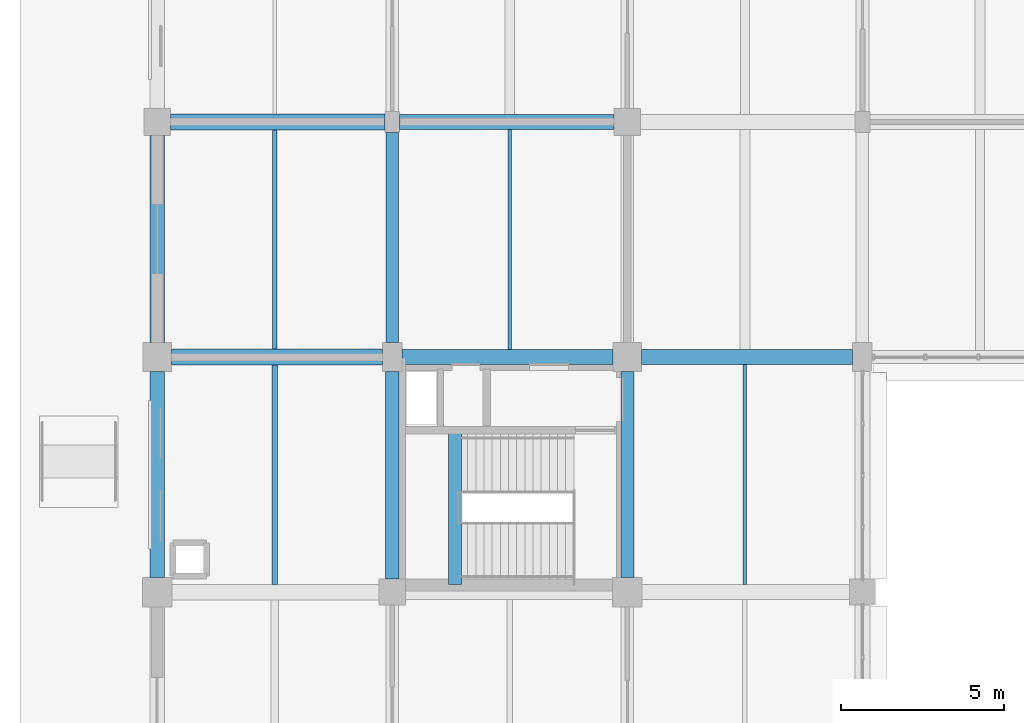
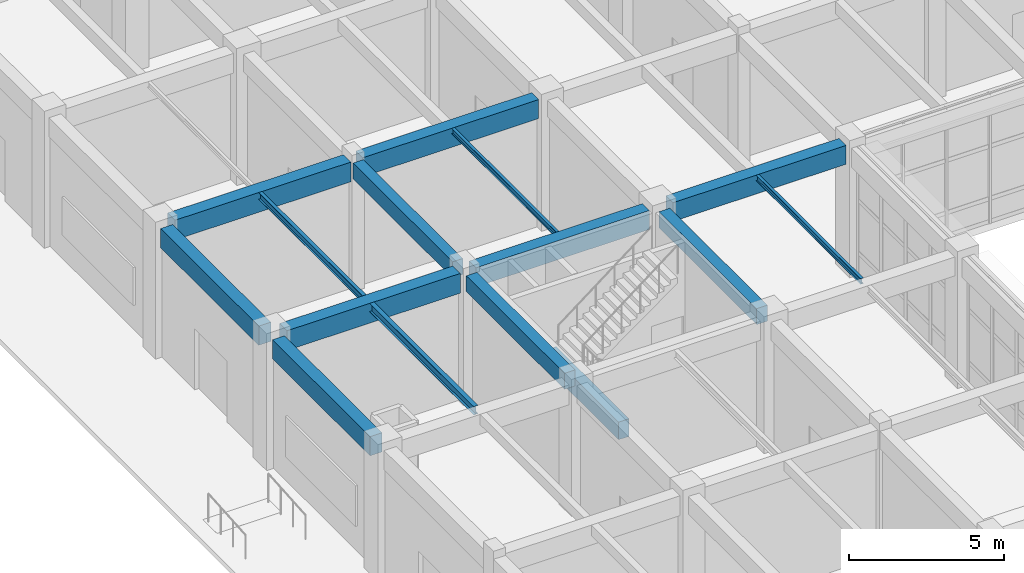
# One storey, part 23 of 160: 15 beams.
"""IFC4 building model written with IfcOpenShell, lengths in metres."""

import ifcopenshell
import ifcopenshell.guid

model = None  # the IFC model being written
_history = None  # IfcOwnerHistory: only IFC2X3 demands one
_inside = {}  # id of a spatial element -> (the spatial element, [elements in it])
_under = {}  # id of a project, library or spatial element -> (it, [spatial elements below it])
_declared = {}  # id of a project -> (the project, [libraries it declares])
_typed = {}  # id of a type object -> (the type object, [elements of that type])
_made_of = {}  # id of a material, layer set ... -> (it, [elements and type objects made of it])


def new_model(schema):
    """Start an empty IFC model of exactly this schema.

    Asked for "IFC4X3", IfcOpenShell would pick the latest addendum, in which some entities
    have other attributes; the version numbers below select the first issue.
    IFC2X3 requires an IfcOwnerHistory on every rooted entity: one is made here for all.
    """
    global model, _history
    if schema == "IFC4X3":
        model = ifcopenshell.file(schema_version=(4, 3, 0, 0))
    else:
        model = ifcopenshell.file(schema=schema)
    _inside.clear()
    _under.clear()
    _declared.clear()
    _typed.clear()
    _made_of.clear()
    _history = None
    if model.schema == "IFC2X3":
        org = make("IfcOrganization", Name="unknown")
        user = make(
            "IfcPersonAndOrganization",
            ThePerson=make("IfcPerson", FamilyName="unknown"),
            TheOrganization=org,
        )
        app = make(
            "IfcApplication",
            ApplicationDeveloper=org,
            Version="unknown",
            ApplicationFullName="unknown",
            ApplicationIdentifier="unknown",
        )
        _history = make(
            "IfcOwnerHistory",
            OwningUser=user,
            OwningApplication=app,
            ChangeAction="ADDED",
            CreationDate=0,
        )
    return model


def make(cls, **values):
    """One entity of the class cls with the attributes given. An attribute that is None is left unset."""
    return model.create_entity(
        cls, **{name: value for name, value in values.items() if value is not None}
    )


def rooted(cls, **values):
    """An entity with a GlobalId (a new one), such as an element, a storey or a relation."""
    return make(cls, GlobalId=ifcopenshell.guid.new(), OwnerHistory=_history, **values)


def si_unit(unit_type, name, prefix=None):
    """IfcSIUnit, for example si_unit("LENGTHUNIT", "METRE", prefix="MILLI")."""
    return make("IfcSIUnit", UnitType=unit_type, Prefix=prefix, Name=name)


def assignment(units):
    """IfcUnitAssignment: the units of a project."""
    return None if units is None else make("IfcUnitAssignment", Units=units)


def point(xyz):
    """IfcCartesianPoint."""
    return None if xyz is None else make("IfcCartesianPoint", Coordinates=xyz)


def direction(xyz):
    """IfcDirection."""
    return None if xyz is None else make("IfcDirection", DirectionRatios=xyz)


def frame(location, z_axis=None, x_axis=None):
    """IfcAxis2Placement3D, a coordinate frame: its origin and axes. An axis left out is left unset."""
    return make(
        "IfcAxis2Placement3D",
        Location=point(location),
        Axis=direction(z_axis),
        RefDirection=direction(x_axis),
    )


def frame_2d(location, x_axis=None):
    """IfcAxis2Placement2D, a coordinate frame in the plane: its origin and x axis."""
    return make(
        "IfcAxis2Placement2D", Location=point(location), RefDirection=direction(x_axis)
    )


def origin():
    """The frame at (0, 0, 0) with its axes left unset."""
    return frame((0.0, 0.0, 0.0))


def origin_2d():
    """The frame at (0, 0) in the plane with its x axis left unset."""
    return frame_2d((0.0, 0.0))


def place(relative_to, where):
    """IfcLocalPlacement: puts the frame where relative to a parent placement (None: the world)."""
    return make(
        "IfcLocalPlacement", PlacementRelTo=relative_to, RelativePlacement=where
    )


def context(
    kind, dimensions, precision=None, world=None, true_north=None, identifier=None
):
    """IfcGeometricRepresentationContext, for example the 3D "Model" context."""
    return make(
        "IfcGeometricRepresentationContext",
        ContextIdentifier=identifier,
        ContextType=kind,
        CoordinateSpaceDimension=dimensions,
        Precision=precision,
        WorldCoordinateSystem=world,
        TrueNorth=true_north,
    )


def subcontext(parent, identifier, kind, view, scale=None):
    """IfcGeometricRepresentationSubContext, for example "Body" below "Model"."""
    return make(
        "IfcGeometricRepresentationSubContext",
        ContextIdentifier=identifier,
        ContextType=kind,
        ParentContext=parent,
        TargetScale=scale,
        TargetView=view,
    )


def project(units=None, contexts=None):
    """IfcProject with its units and contexts."""
    return rooted(
        "IfcProject",
        Name="project",
        RepresentationContexts=contexts,
        UnitsInContext=assignment(units),
    )


def spatial(cls, under=None, at=None, **own):
    """A site, building, storey or space (cls), placed at a placement, below another one or the project."""
    s = rooted(cls, ObjectPlacement=at, **own)
    if under is not None:
        _under.setdefault(under.id(), (under, []))[1].append(s)
    return s


def profile(cls, at=None, kind="AREA", **sizes):
    """A parametric profile (cls). Its sizes go by their IFC names, for example OverallWidth=200.0."""
    return make(cls, ProfileType=kind, Position=at, **sizes)


def rectangle(**sizes):
    """IfcRectangleProfileDef."""
    return profile("IfcRectangleProfileDef", **sizes)


def i_section(**sizes):
    """IfcIShapeProfileDef."""
    return profile("IfcIShapeProfileDef", **sizes)


def extrude(swept, where, along, depth):
    """IfcExtrudedAreaSolid: the profile swept, set in the frame where, extruded along a direction by depth."""
    return make(
        "IfcExtrudedAreaSolid",
        SweptArea=swept,
        Position=where,
        ExtrudedDirection=direction(along),
        Depth=depth,
    )


def shape(context_of_items, identifier, shape_type, items):
    """IfcShapeRepresentation: the items that make up one representation, for example the "Body"."""
    return make(
        "IfcShapeRepresentation",
        ContextOfItems=context_of_items,
        RepresentationIdentifier=identifier,
        RepresentationType=shape_type,
        Items=items,
    )


def material(Name=None, Category=None):
    """IfcMaterial."""
    return make("IfcMaterial", Name=Name, Category=Category)


def material_profile(
    of_material, cross_section, Name=None, Category=None, Priority=None
):
    """IfcMaterialProfile: a cross section and its material."""
    return make(
        "IfcMaterialProfile",
        Name=Name,
        Material=of_material,
        Profile=cross_section,
        Priority=Priority,
        Category=Category,
    )


def profile_set(profiles, Name=None, composite=None):
    """IfcMaterialProfileSet."""
    return make(
        "IfcMaterialProfileSet",
        Name=Name,
        MaterialProfiles=profiles,
        CompositeProfile=composite,
    )


def made_of(thing, what):
    """Note that an element or type object is made of a material, layer set ...; save() writes the relation."""
    if what is not None:
        _made_of.setdefault(what.id(), (what, []))[1].append(thing)
    return thing


def type_object(cls, material=None, **own):
    """A type object (cls), such as IfcWallType, which elements share."""
    return made_of(rooted(cls, **own), material)


def element(
    cls,
    number,
    at=None,
    inside=None,
    cuts=None,
    type_object=None,
    material=None,
    context=None,
    identifier="Body",
    shape_type=None,
    held_by="IfcProductDefinitionShape",
    body=None,
    shapes=None,
    **own,
):
    """One element of the class cls, such as IfcWall. Its Tag is "e" and its number.

    at: its placement. inside: the storey or other place that contains it. cuts: it is an
    opening in that element (IfcRelVoidsElement). A single representation is given by context,
    identifier, shape_type and body (its items); several are given by shapes. held_by: the class
    of the entity that holds the representations. save() writes the other relations.
    """
    e = rooted(cls, Tag="e%d" % number, ObjectPlacement=at, **own)
    if body is not None:
        shapes = [shape(context, identifier, shape_type, body)]
    if shapes is not None:
        e.Representation = make(held_by, Representations=shapes)
    if inside is not None:
        _inside.setdefault(inside.id(), (inside, []))[1].append(e)
    if cuts is not None:
        rooted(
            "IfcRelVoidsElement", RelatingBuildingElement=cuts, RelatedOpeningElement=e
        )
    if type_object is not None:
        _typed.setdefault(type_object.id(), (type_object, []))[1].append(e)
    return made_of(e, material)


def aggregate(whole, parts):
    """IfcRelAggregates: a whole, such as a stair, and the parts it consists of."""
    return rooted("IfcRelAggregates", RelatingObject=whole, RelatedObjects=parts)


def save(model, path):
    """Write the relations noted so far, then the file.

    IfcRelAggregates (storeys below a building ...), IfcRelContainedInSpatialStructure (elements
    in a storey), IfcRelDefinesByType, IfcRelAssociatesMaterial and IfcRelDeclares: one each for
    every whole, place, type object, material and project.
    """
    for whole, parts in _under.values():
        aggregate(whole, parts)
    for where, things in _inside.values():
        rooted(
            "IfcRelContainedInSpatialStructure",
            RelatedElements=things,
            RelatingStructure=where,
        )
    for kind, things in _typed.values():
        rooted("IfcRelDefinesByType", RelatedObjects=things, RelatingType=kind)
    for what, things in _made_of.values():
        rooted("IfcRelAssociatesMaterial", RelatedObjects=things, RelatingMaterial=what)
    for by, libraries in _declared.values():
        rooted("IfcRelDeclares", RelatingContext=by, RelatedDefinitions=libraries)
    model.write(path)


model = new_model("IFC4")

# Units and contexts
model_context = context("Model", 3, precision=1e-05, world=origin(), true_north=direction((0.0, 1.0)))
body_context = subcontext(model_context, "Body", "Model", "MODEL_VIEW")
ifc_project = project(units=[si_unit("LENGTHUNIT", "METRE"), si_unit("AREAUNIT", "SQUARE_METRE"), si_unit("VOLUMEUNIT", "CUBIC_METRE"), si_unit("PLANEANGLEUNIT", "RADIAN"), si_unit("MASSUNIT", "GRAM", prefix="KILO")], contexts=[model_context])

# Site, building, storey
site_placement = place(None, origin())
site = spatial("IfcSite", under=ifc_project, at=site_placement, CompositionType="ELEMENT")
building_placement = place(site_placement, origin())
building = spatial("IfcBuilding", under=site, at=building_placement, Name="Thalmaran Polytechnic", CompositionType="ELEMENT")
storey_placement = place(building_placement, origin())
storey = spatial("IfcBuildingStorey", under=building, at=storey_placement, Name="L00", CompositionType="ELEMENT", Elevation=0.0)

# Beams
ifc_material_1 = material(Name="Concrete C40/50", Category="concrete")
ifc_material_profile_1 = material_profile(ifc_material_1, rectangle(XDim=0.449951171875, YDim=0.75, at=origin_2d()), Name="RC 450x750")
ifc_profile_set_1 = profile_set([ifc_material_profile_1], Name="Concrete C40/50")
beam_type_1 = type_object("IfcBeamType", Name="BM-RC03", PredefinedType="BEAM", material=ifc_profile_set_1)
beam_1_placement = place(storey_placement, frame((7.5, 50.39990234375, 4.715087890625), z_axis=(1.0, 0.0, 0.0), x_axis=(0.0, 1.0, 0.0)))
element("IfcBeam", 1, at=beam_1_placement, inside=storey, type_object=beam_type_1, Name="Grid Beam B03 L00 X(1,7)", PredefinedType="BEAM", context=body_context, shape_type="SweptSolid", body=[
    extrude(rectangle(XDim=0.449951171875, YDim=0.75, at=origin_2d()), origin(), (0.0, 0.0, 1.0), 6.4599609375),
])
beam_2_placement = place(storey_placement, frame((7.425048828125, 57.60009765625, 4.715087890625), z_axis=(1.0, 0.0, 0.0), x_axis=(0.0, 1.0, 0.0)))
element("IfcBeam", 2, at=beam_2_placement, inside=storey, type_object=beam_type_1, Name="Grid Beam B03 L00 X(1,8)", PredefinedType="BEAM", context=body_context, shape_type="SweptSolid", body=[
    extrude(rectangle(XDim=0.449951171875, YDim=0.75, at=origin_2d()), origin(), (0.0, 0.0, 1.0), 6.56494140625),
])
ifc_material_profile_2 = material_profile(ifc_material_1, rectangle(XDim=0.39990234375, YDim=0.6298828125, at=origin_2d()), Name="RC 400x630")
ifc_profile_set_2 = profile_set([ifc_material_profile_2], Name="Concrete C40/50")
beam_type_2 = type_object("IfcBeamType", Name="BM-RC07", PredefinedType="BEAM", material=ifc_profile_set_2)
beam_3_placement = place(storey_placement, frame((7.199951171875, 43.60009765625, 4.77490234375), z_axis=(0.0, 1.0, 0.0), x_axis=(-1.0, 0.0, 0.0)))
element("IfcBeam", 3, at=beam_3_placement, inside=storey, type_object=beam_type_2, Name="Grid Beam B07 L00 Y(1,6)", PredefinedType="BEAM", context=body_context, shape_type="SweptSolid", body=[
    extrude(rectangle(XDim=0.39990234375, YDim=0.6298828125, at=origin_2d()), origin(), (0.0, 0.0, 1.0), 6.349853515625),
])
beam_4_placement = place(storey_placement, frame((14.39990234375, 43.64990234375, 4.77490234375), z_axis=(0.0, 1.0, 0.0), x_axis=(-1.0, 0.0, 0.0)))
element("IfcBeam", 4, at=beam_4_placement, inside=storey, type_object=beam_type_2, Name="Grid Beam B07 L00 Y(2,6)", PredefinedType="BEAM", context=body_context, shape_type="SweptSolid", body=[
    extrude(rectangle(XDim=0.39990234375, YDim=0.6298828125, at=origin_2d()), origin(), (0.0, 0.0, 1.0), 6.31005859375),
])
ifc_material_profile_3 = material_profile(ifc_material_1, rectangle(XDim=0.389892578125, YDim=0.695068359375, at=origin_2d()), Name="RC 390x695")
ifc_profile_set_3 = profile_set([ifc_material_profile_3], Name="Concrete C40/50")
beam_type_3 = type_object("IfcBeamType", Name="BM-RC10", PredefinedType="BEAM", material=ifc_profile_set_3)
beam_5_placement = place(storey_placement, frame((9.1201171875, 43.43994140625, 2.239990234375), z_axis=(0.0, 1.0, 0.0), x_axis=(-1.0, 0.0, 0.0)))
element("IfcBeam", 5, at=beam_5_placement, inside=storey, type_object=beam_type_3, Name="ST4 L00 Half-Landing Trimmer Beam", PredefinedType="BEAM", context=body_context, shape_type="SweptSolid", body=[
    extrude(rectangle(XDim=0.389892578125, YDim=0.695068359375, at=origin_2d()), origin(), (0.0, 0.0, 1.0), 4.699951171875),
])
ifc_material_2 = material(Name="Steel S355", Category="steel")
ifc_material_profile_4 = material_profile(ifc_material_2, i_section(OverallWidth=0.159912109375, OverallDepth=0.330078125, WebThickness=0.007568359375, FlangeThickness=0.011474609375, at=origin_2d()), Name="IPE 330")
ifc_profile_set_4 = profile_set([ifc_material_profile_4], Name="Steel S355")
beam_type_4 = type_object("IfcBeamType", Name="BM-SJ02", PredefinedType="JOIST", material=ifc_profile_set_4)
beam_6_placement = place(storey_placement, frame((3.60009765625, 43.43994140625, 4.925048828125), z_axis=(0.0, 1.0, 0.0), x_axis=(-1.0, 0.0, 0.0)))
element("IfcBeam", 6, at=beam_6_placement, inside=storey, type_object=beam_type_4, Name="Secondary Floor Rib SJ02 L00 (0,6)", PredefinedType="JOIST", context=body_context, shape_type="SweptSolid", body=[
    extrude(i_section(OverallWidth=0.159912109375, OverallDepth=0.330078125, WebThickness=0.007568359375, FlangeThickness=0.011474609375, at=origin_2d()), origin(), (0.0, 0.0, 1.0), 6.719970703125),
])
ifc_material_profile_5 = material_profile(ifc_material_2, i_section(OverallWidth=0.135009765625, OverallDepth=0.27001953125, WebThickness=0.006591796875, FlangeThickness=0.01025390625, at=origin_2d()), Name="IPE 270")
ifc_profile_set_5 = profile_set([ifc_material_profile_5], Name="Steel S355")
beam_type_5 = type_object("IfcBeamType", Name="BM-SJ03", PredefinedType="JOIST", material=ifc_profile_set_5)
beam_7_placement = place(storey_placement, frame((3.60009765625, 50.639892578125, 4.955078125), z_axis=(0.0, 1.0, 0.0), x_axis=(-1.0, 0.0, 0.0)))
element("IfcBeam", 7, at=beam_7_placement, inside=storey, type_object=beam_type_5, Name="Secondary Floor Rib SJ03 L00 (0,7)", PredefinedType="JOIST", context=body_context, shape_type="SweptSolid", body=[
    extrude(i_section(OverallWidth=0.135009765625, OverallDepth=0.27001953125, WebThickness=0.006591796875, FlangeThickness=0.01025390625, at=origin_2d()), origin(), (0.0, 0.0, 1.0), 6.72021484375),
])
ifc_material_profile_6 = material_profile(ifc_material_2, i_section(OverallWidth=0.110107421875, OverallDepth=0.219970703125, WebThickness=0.005859375, FlangeThickness=0.00927734375, at=origin_2d()), Name="IPE 220")
ifc_profile_set_6 = profile_set([ifc_material_profile_6], Name="Steel S355")
beam_type_6 = type_object("IfcBeamType", Name="BM-SJ04", PredefinedType="JOIST", material=ifc_profile_set_6)
beam_8_placement = place(storey_placement, frame((10.800048828125, 50.625, 4.97998046875), z_axis=(0.0, 1.0, 0.0), x_axis=(-1.0, 0.0, 0.0)))
element("IfcBeam", 8, at=beam_8_placement, inside=storey, type_object=beam_type_6, Name="Secondary Floor Rib SJ04 L00 (1,7)", PredefinedType="JOIST", context=body_context, shape_type="SweptSolid", body=[
    extrude(i_section(OverallWidth=0.110107421875, OverallDepth=0.219970703125, WebThickness=0.005859375, FlangeThickness=0.00927734375, at=origin_2d()), origin(), (0.0, 0.0, 1.0), 6.75),
])
beam_9_placement = place(storey_placement, frame((18.0, 43.429931640625, 4.97998046875), z_axis=(0.0, 1.0, 0.0), x_axis=(-1.0, 0.0, 0.0)))
element("IfcBeam", 9, at=beam_9_placement, inside=storey, type_object=beam_type_6, Name="Secondary Floor Rib SJ04 L00 (2,6)", PredefinedType="JOIST", context=body_context, shape_type="SweptSolid", body=[
    extrude(i_section(OverallWidth=0.110107421875, OverallDepth=0.219970703125, WebThickness=0.005859375, FlangeThickness=0.00927734375, at=origin_2d()), origin(), (0.0, 0.0, 1.0), 6.739990234375),
])
ifc_material_profile_7 = material_profile(ifc_material_1, rectangle(XDim=0.449951171875, YDim=0.7548828125, at=origin_2d()), Name="RC 450x755")
ifc_profile_set_7 = profile_set([ifc_material_profile_7], Name="Concrete C40/50")
beam_type_7 = type_object("IfcBeamType", Name="BM-SP02", PredefinedType="SPANDREL", material=ifc_profile_set_7)
beam_10_placement = place(storey_placement, frame((0.0, 43.64990234375, 4.71240234375), z_axis=(0.0, 1.0, 0.0), x_axis=(-1.0, 0.0, 0.0)))
element("IfcBeam", 10, at=beam_10_placement, inside=storey, type_object=beam_type_7, Name="Grid Beam SP02 L00 Y(0,6)", PredefinedType="SPANDREL", context=body_context, shape_type="SweptSolid", body=[
    extrude(rectangle(XDim=0.449951171875, YDim=0.7548828125, at=origin_2d()), origin(), (0.0, 0.0, 1.0), 6.31005859375),
])
beam_11_placement = place(storey_placement, frame((0.0, 50.840087890625, 4.71240234375), z_axis=(0.0, 1.0, 0.0), x_axis=(-1.0, 0.0, 0.0)))
element("IfcBeam", 11, at=beam_11_placement, inside=storey, type_object=beam_type_7, Name="Grid Beam SP02 L00 Y(0,7)", PredefinedType="SPANDREL", context=body_context, shape_type="SweptSolid", body=[
    extrude(rectangle(XDim=0.449951171875, YDim=0.7548828125, at=origin_2d()), origin(), (0.0, 0.0, 1.0), 6.349853515625),
])
ifc_material_profile_8 = material_profile(ifc_material_1, rectangle(XDim=0.47998046875, YDim=0.780029296875, at=origin_2d()), Name="RC 480x780")
ifc_profile_set_8 = profile_set([ifc_material_profile_8], Name="Concrete C40/50")
beam_type_8 = type_object("IfcBeamType", Name="BM-ZB01", PredefinedType="BEAM", material=ifc_profile_set_8)
beam_12_placement = place(storey_placement, frame((0.43994140625, 50.39990234375, 4.699951171875), z_axis=(1.0, 0.0, 0.0), x_axis=(0.0, 1.0, 0.0)))
element("IfcBeam", 12, at=beam_12_placement, inside=storey, type_object=beam_type_8, Name="Grid Beam ZB01 L00 X(0,7)", PredefinedType="BEAM", context=body_context, shape_type="SweptSolid", body=[
    extrude(rectangle(XDim=0.47998046875, YDim=0.780029296875, at=origin_2d()), origin(), (0.0, 0.0, 1.0), 6.4599609375),
])
beam_13_placement = place(storey_placement, frame((0.409912109375, 57.60009765625, 4.699951171875), z_axis=(1.0, 0.0, 0.0), x_axis=(0.0, 1.0, 0.0)))
element("IfcBeam", 13, at=beam_13_placement, inside=storey, type_object=beam_type_8, Name="Grid Beam ZB01 L00 X(0,8)", PredefinedType="BEAM", context=body_context, shape_type="SweptSolid", body=[
    extrude(rectangle(XDim=0.47998046875, YDim=0.780029296875, at=origin_2d()), origin(), (0.0, 0.0, 1.0), 6.565185546875),
])
ifc_material_profile_9 = material_profile(ifc_material_1, rectangle(XDim=0.4599609375, YDim=0.739990234375, at=origin_2d()), Name="RC 460x740")
ifc_profile_set_9 = profile_set([ifc_material_profile_9], Name="Concrete C40/50")
beam_type_9 = type_object("IfcBeamType", Name="BM-ZB02", PredefinedType="BEAM", material=ifc_profile_set_9)
beam_14_placement = place(storey_placement, frame((14.840087890625, 50.39990234375, 4.719970703125), z_axis=(1.0, 0.0, 0.0), x_axis=(0.0, 1.0, 0.0)))
element("IfcBeam", 14, at=beam_14_placement, inside=storey, type_object=beam_type_9, Name="Grid Beam ZB02 L00 X(2,7)", PredefinedType="BEAM", context=body_context, shape_type="SweptSolid", body=[
    extrude(rectangle(XDim=0.4599609375, YDim=0.739990234375, at=origin_2d()), origin(), (0.0, 0.0, 1.0), 6.4599609375),
])
ifc_material_profile_10 = material_profile(ifc_material_1, rectangle(XDim=0.3798828125, YDim=0.635009765625, at=origin_2d()), Name="RC 380x635")
ifc_profile_set_10 = profile_set([ifc_material_profile_10], Name="Concrete C40/50")
beam_type_10 = type_object("IfcBeamType", Name="BM-ZB06", PredefinedType="BEAM", material=ifc_profile_set_10)
beam_15_placement = place(storey_placement, frame((7.199951171875, 50.85009765625, 4.7724609375), z_axis=(0.0, 1.0, 0.0), x_axis=(-1.0, 0.0, 0.0)))
element("IfcBeam", 15, at=beam_15_placement, inside=storey, type_object=beam_type_10, Name="Grid Beam ZB06 L00 Y(1,7)", PredefinedType="BEAM", context=body_context, shape_type="SweptSolid", body=[
    extrude(rectangle(XDim=0.3798828125, YDim=0.635009765625, at=origin_2d()), origin(), (0.0, 0.0, 1.0), 6.4248046875),
])

save(model, "model.ifc")
